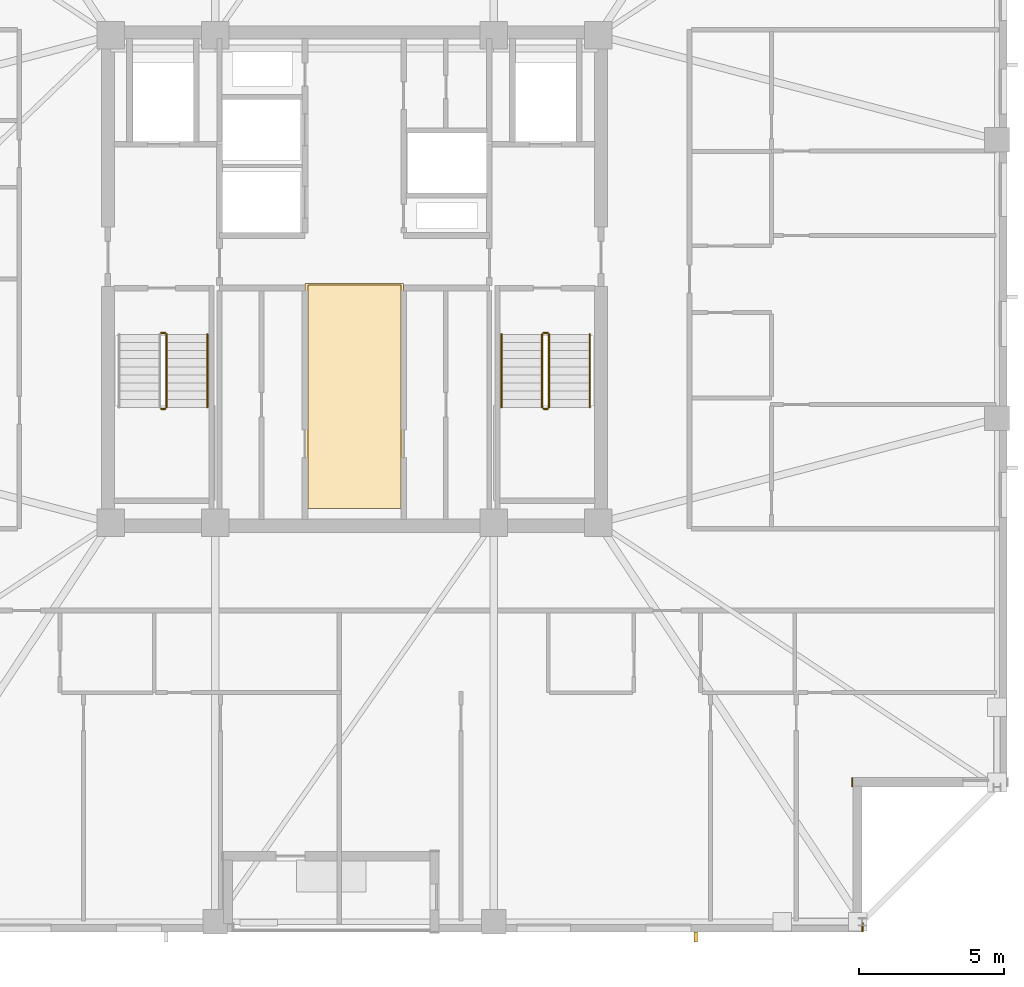
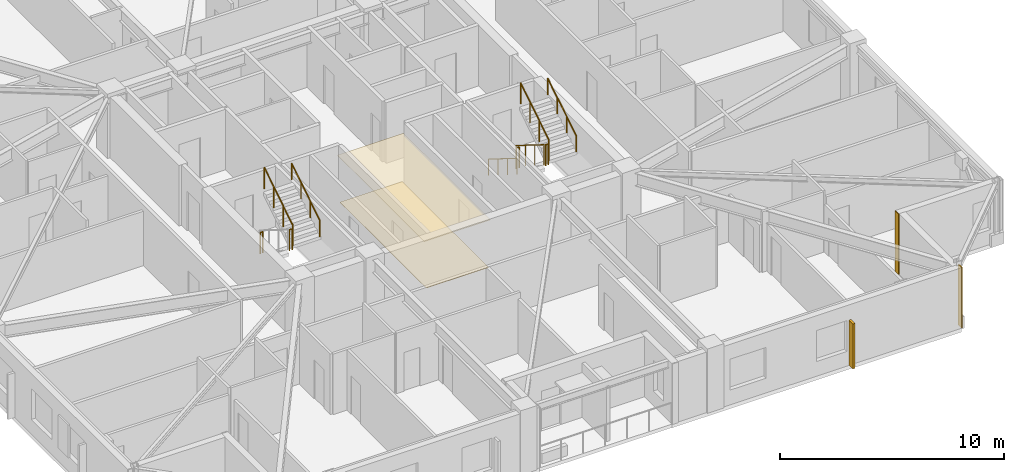
# One storey, part 14 of 17: 10 railings, 4 coverings, 1 shading device.
"""IFC4 building model written with IfcOpenShell, lengths in metres."""

from ifc_helpers import new_model, si_unit, direction, frame, frame_2d, origin, origin_2d, place, context, subcontext, project, spatial, polyline, rectangle, circle, outline, extrude, material, layer, layer_set, type_object, element, save


model = new_model("IFC4")

# Units and contexts
model_context = context("Model", 3, precision=1e-05, world=origin(), true_north=direction((0.0, 1.0)))
body_context = subcontext(model_context, "Body", "Model", "MODEL_VIEW")
ifc_project = project(units=[si_unit("LENGTHUNIT", "METRE"), si_unit("AREAUNIT", "SQUARE_METRE"), si_unit("VOLUMEUNIT", "CUBIC_METRE"), si_unit("PLANEANGLEUNIT", "RADIAN"), si_unit("MASSUNIT", "GRAM", prefix="KILO")], contexts=[model_context])

# Site, building, storey
site_placement = place(None, origin())
site = spatial("IfcSite", under=ifc_project, at=site_placement, CompositionType="ELEMENT")
building_placement = place(site_placement, origin())
building = spatial("IfcBuilding", under=site, at=building_placement, Name="Cairnveth Concourse Tower", CompositionType="ELEMENT")
storey_placement = place(building_placement, frame((0.0, 0.0, 269.0)))
storey = spatial("IfcBuildingStorey", under=building, at=storey_placement, Name="L74", CompositionType="ELEMENT", Elevation=269.0)

# Coverings
ifc_material_1 = material(Name="Acoustic Mineral Fibre Ceiling", Category="gypsum")
ifc_layer_1 = layer(ifc_material_1, 0.02490234375)
ifc_layer_set_1 = layer_set([ifc_layer_1], Name="Acoustic Mineral Fibre Ceiling")
covering_type_1 = type_object("IfcCoveringType", Name="ACOUSTIC MINERAL FIBRE CEILING 25", PredefinedType="CEILING", material=ifc_layer_set_1)
covering_1_placement = place(storey_placement, frame((0.0, 0.0, 2.55810546875)))
element("IfcCovering", 1, at=covering_1_placement, inside=storey, type_object=covering_type_1, Name="Lift Lobby Acoustic Ceiling L74", PredefinedType="CEILING", context=body_context, shape_type="SweptSolid", body=[
    extrude(outline(polyline([(50.300048828125, 31.10009765625), (53.699951171875, 31.10009765625), (53.699951171875, 38.85009765625), (50.300048828125, 38.85009765625), (50.300048828125, 31.10009765625)])), origin(), (0.0, 0.0, 1.0), 0.02490234375),
])
ifc_material_2 = material(Name="Dressed Melbourne Bluestone Cladding", Category="masonry")
ifc_layer_2 = layer(ifc_material_2, 0.050048828125)
ifc_layer_set_2 = layer_set([ifc_layer_2], Name="Dressed Melbourne Bluestone Cladding")
covering_type_2 = type_object("IfcCoveringType", Name="DRESSED BLUESTONE PLINTH CLADDING 50", PredefinedType="CLADDING", material=ifc_layer_set_2)
for number, where, z_axis, x_axis, name in (
    (2, (69.159912109375, 21.820068359375, 0.0), (0.0, 0.0, 1.0), (0.0, -1.0, 0.0), "Melbourne Bluestone Corner Quoin L74-1130"),
    (3, (69.52001953125, 16.820068359375, 0.0), (0.0, 0.0, 1.0), (0.0, -1.0, 0.0), "Melbourne Bluestone Corner Quoin L74-1131"),
):
    element("IfcCovering", number, at=place(storey_placement, frame(where, z_axis=z_axis, x_axis=x_axis)), inside=storey, type_object=covering_type_2, Name=name, PredefinedType="CLADDING", context=body_context, shape_type="SweptSolid", body=[
        extrude(rectangle(XDim=0.320068359375, YDim=0.050048828125, at=frame_2d((0.16015625, 0.0))), origin(), (0.0, 0.0, 1.0), 3.2900390625),
    ])

# Shading device
ifc_material_3 = material(Name="Architectural Bronze Anodised Aluminium 6063-T6", Category="aluminium")
shading_device_type = type_object("IfcShadingDeviceType", Name="GOTHIC BRONZE VERTICAL LANCET FIN", PredefinedType="USERDEFINED", material=ifc_material_3)
shading_device_placement = place(storey_placement, frame((63.759521484375, 16.324951171875, 0.030029296875), z_axis=(0.0, 0.0, 1.0), x_axis=(1.0, 0.0, 0.0)))
element("IfcShadingDevice", 4, at=shading_device_placement, inside=storey, type_object=shading_device_type, Name="Gothic Bronze Vertical Fin L74-12-1", ObjectType="VERTICAL FIN", PredefinedType="USERDEFINED", context=body_context, shape_type="SweptSolid", body=[
    extrude(rectangle(XDim=0.1201171875, YDim=0.360107421875, at=origin_2d()), origin(), (0.0, 0.0, 1.0), 2.43798828125),
])

# Railings
ifc_material_4 = material(Name="Steel Grade 350", Category="steel")
railing_type_1 = type_object("IfcRailingType", Name="STAIR GUARDRAIL 1150", PredefinedType="GUARDRAIL", material=ifc_material_4)
railing_1_placement = place(storey_placement, frame((45.340087890625, 34.530029296875, 1.75)))
element("IfcRailing", 5, at=railing_1_placement, inside=storey, type_object=railing_type_1, Name="L74 ST-1 stair guard 2", PredefinedType="GUARDRAIL", context=body_context, shape_type="SweptSolid", body=[
    extrude(circle(Radius=0.02392578125, at=origin_2d()), frame((0.0, 0.0, 1.1259765625), z_axis=(1.0, 0.0, 0.0), x_axis=(0.0, 1.0, 0.0)), (0.0, 0.0, 1.0), 0.139892578125),
    extrude(circle(Radius=0.02099609375, at=origin_2d()), origin(), (0.0, 0.0, 1.0), 1.101806640625),
    extrude(circle(Radius=0.02099609375, at=origin_2d()), frame((0.139892578125, 0.0, 0.0)), (0.0, 0.0, 1.0), 1.101806640625),
])
railing_2_placement = place(storey_placement, frame((45.530029296875, 34.580078125, 1.925048828125)))
element("IfcRailing", 6, at=railing_2_placement, inside=storey, type_object=railing_type_1, Name="L74 ST-1 stair guard 3", PredefinedType="GUARDRAIL", context=body_context, shape_type="SweptSolid", body=[
    extrude(circle(Radius=0.02392578125, at=origin_2d()), frame((0.0, 0.0, 1.1259765625), z_axis=(0.0, 0.848007534815, 0.529984170421), x_axis=(-1.0, 0.0, 0.0)), (0.0, 0.0, 1.0), 2.9716796875),
    extrude(circle(Radius=0.02099609375, at=origin_2d()), origin(), (0.0, 0.0, 1.0), 1.101806640625),
    extrude(circle(Radius=0.02099609375, at=origin_2d()), frame((0.0, 0.840087890625, 0.52490234375)), (0.0, 0.0, 1.0), 1.101806640625),
    extrude(circle(Radius=0.02099609375, at=origin_2d()), frame((0.0, 1.679931640625, 1.050048828125)), (0.0, 0.0, 1.0), 1.101806640625),
    extrude(circle(Radius=0.02099609375, at=origin_2d()), frame((0.0, 2.52001953125, 1.574951171875)), (0.0, 0.0, 1.0), 1.101806640625),
])
railing_3_placement = place(storey_placement, frame((45.340087890625, 37.14990234375, 0.0)))
element("IfcRailing", 7, at=railing_3_placement, inside=storey, type_object=railing_type_1, Name="L74 ST-1 stair guard 4", PredefinedType="GUARDRAIL", context=body_context, shape_type="SweptSolid", body=[
    extrude(circle(Radius=0.02392578125, at=origin_2d()), frame((0.0, 0.0, 1.1259765625), z_axis=(1.0, 0.0, 0.0), x_axis=(0.0, 1.0, 0.0)), (0.0, 0.0, 1.0), 0.139892578125),
    extrude(circle(Radius=0.02099609375, at=origin_2d()), origin(), (0.0, 0.0, 1.0), 1.101806640625),
    extrude(circle(Radius=0.02099609375, at=origin_2d()), frame((0.139892578125, 0.0, 0.0)), (0.0, 0.0, 1.0), 1.101806640625),
])
railing_4_placement = place(storey_placement, frame((58.469970703125, 37.10009765625, 0.175048828125)))
element("IfcRailing", 8, at=railing_4_placement, inside=storey, type_object=railing_type_1, Name="L74 ST-2 stair guard 1", PredefinedType="GUARDRAIL", context=body_context, shape_type="SweptSolid", body=[
    extrude(circle(Radius=0.02392578125, at=origin_2d()), frame((0.0, 0.0, 1.1259765625), z_axis=(0.0, -0.848007534815, 0.529984170421), x_axis=(1.0, 0.0, 0.0)), (0.0, 0.0, 1.0), 2.9716796875),
    extrude(circle(Radius=0.02099609375, at=origin_2d()), origin(), (0.0, 0.0, 1.0), 1.101806640625),
    extrude(circle(Radius=0.02099609375, at=origin_2d()), frame((0.0, -0.840087890625, 0.52490234375)), (0.0, 0.0, 1.0), 1.101806640625),
    extrude(circle(Radius=0.02099609375, at=origin_2d()), frame((0.0, -1.679931640625, 1.050048828125)), (0.0, 0.0, 1.0), 1.101806640625),
    extrude(circle(Radius=0.02099609375, at=origin_2d()), frame((0.0, -2.52001953125, 1.574951171875)), (0.0, 0.0, 1.0), 1.101806640625),
])
railing_5_placement = place(storey_placement, frame((58.52001953125, 34.530029296875, 1.75)))
element("IfcRailing", 9, at=railing_5_placement, inside=storey, type_object=railing_type_1, Name="L74 ST-2 stair guard 2", PredefinedType="GUARDRAIL", context=body_context, shape_type="SweptSolid", body=[
    extrude(circle(Radius=0.02392578125, at=origin_2d()), frame((0.0, 0.0, 1.1259765625), z_axis=(1.0, 0.0, 0.0), x_axis=(0.0, 1.0, 0.0)), (0.0, 0.0, 1.0), 0.139892578125),
    extrude(circle(Radius=0.02099609375, at=origin_2d()), origin(), (0.0, 0.0, 1.0), 1.101806640625),
    extrude(circle(Radius=0.02099609375, at=origin_2d()), frame((0.139892578125, 0.0, 0.0)), (0.0, 0.0, 1.0), 1.101806640625),
])
railing_6_placement = place(storey_placement, frame((58.7099609375, 34.580078125, 1.925048828125)))
element("IfcRailing", 10, at=railing_6_placement, inside=storey, type_object=railing_type_1, Name="L74 ST-2 stair guard 3", PredefinedType="GUARDRAIL", context=body_context, shape_type="SweptSolid", body=[
    extrude(circle(Radius=0.02392578125, at=origin_2d()), frame((0.0, 0.0, 1.1259765625), z_axis=(0.0, 0.848007534815, 0.529984170421), x_axis=(-1.0, 0.0, 0.0)), (0.0, 0.0, 1.0), 2.9716796875),
    extrude(circle(Radius=0.02099609375, at=origin_2d()), origin(), (0.0, 0.0, 1.0), 1.101806640625),
    extrude(circle(Radius=0.02099609375, at=origin_2d()), frame((0.0, 0.840087890625, 0.52490234375)), (0.0, 0.0, 1.0), 1.101806640625),
    extrude(circle(Radius=0.02099609375, at=origin_2d()), frame((0.0, 1.679931640625, 1.050048828125)), (0.0, 0.0, 1.0), 1.101806640625),
    extrude(circle(Radius=0.02099609375, at=origin_2d()), frame((0.0, 2.52001953125, 1.574951171875)), (0.0, 0.0, 1.0), 1.101806640625),
])
railing_7_placement = place(storey_placement, frame((58.52001953125, 37.14990234375, 0.0)))
element("IfcRailing", 11, at=railing_7_placement, inside=storey, type_object=railing_type_1, Name="L74 ST-2 stair guard 4", PredefinedType="GUARDRAIL", context=body_context, shape_type="SweptSolid", body=[
    extrude(circle(Radius=0.02392578125, at=origin_2d()), frame((0.0, 0.0, 1.1259765625), z_axis=(1.0, 0.0, 0.0), x_axis=(0.0, 1.0, 0.0)), (0.0, 0.0, 1.0), 0.139892578125),
    extrude(circle(Radius=0.02099609375, at=origin_2d()), origin(), (0.0, 0.0, 1.0), 1.101806640625),
    extrude(circle(Radius=0.02099609375, at=origin_2d()), frame((0.139892578125, 0.0, 0.0)), (0.0, 0.0, 1.0), 1.101806640625),
])
railing_type_2 = type_object("IfcRailingType", Name="STAIR WALL HANDRAIL 900", PredefinedType="HANDRAIL", material=ifc_material_4)
railing_8_placement = place(storey_placement, frame((46.929931640625, 34.580078125, 1.925048828125)))
element("IfcRailing", 12, at=railing_8_placement, inside=storey, type_object=railing_type_2, Name="L74 ST-1 stair handrail 2", PredefinedType="HANDRAIL", context=body_context, shape_type="SweptSolid", body=[
    extrude(circle(Radius=0.02392578125, at=origin_2d()), frame((0.0, 0.0, 0.8759765625), z_axis=(0.0, 0.848007534815, 0.529984170421), x_axis=(-1.0, 0.0, 0.0)), (0.0, 0.0, 1.0), 2.9716796875),
    extrude(circle(Radius=0.02099609375, at=origin_2d()), origin(), (0.0, 0.0, 1.0), 0.851806640625),
    extrude(circle(Radius=0.02099609375, at=origin_2d()), frame((0.0, 0.840087890625, 0.52490234375)), (0.0, 0.0, 1.0), 0.851806640625),
    extrude(circle(Radius=0.02099609375, at=origin_2d()), frame((0.0, 1.679931640625, 1.050048828125)), (0.0, 0.0, 1.0), 0.851806640625),
    extrude(circle(Radius=0.02099609375, at=origin_2d()), frame((0.0, 2.52001953125, 1.574951171875)), (0.0, 0.0, 1.0), 0.851806640625),
])
railing_9_placement = place(storey_placement, frame((57.070068359375, 37.10009765625, 0.175048828125)))
element("IfcRailing", 13, at=railing_9_placement, inside=storey, type_object=railing_type_2, Name="L74 ST-2 stair handrail 1", PredefinedType="HANDRAIL", context=body_context, shape_type="SweptSolid", body=[
    extrude(circle(Radius=0.02392578125, at=origin_2d()), frame((0.0, 0.0, 0.8759765625), z_axis=(0.0, -0.848007534815, 0.529984170421), x_axis=(1.0, 0.0, 0.0)), (0.0, 0.0, 1.0), 2.9716796875),
    extrude(circle(Radius=0.02099609375, at=origin_2d()), origin(), (0.0, 0.0, 1.0), 0.851806640625),
    extrude(circle(Radius=0.02099609375, at=origin_2d()), frame((0.0, -0.840087890625, 0.52490234375)), (0.0, 0.0, 1.0), 0.851806640625),
    extrude(circle(Radius=0.02099609375, at=origin_2d()), frame((0.0, -1.679931640625, 1.050048828125)), (0.0, 0.0, 1.0), 0.851806640625),
    extrude(circle(Radius=0.02099609375, at=origin_2d()), frame((0.0, -2.52001953125, 1.574951171875)), (0.0, 0.0, 1.0), 0.851806640625),
])
railing_10_placement = place(storey_placement, frame((60.110107421875, 34.580078125, 1.925048828125)))
element("IfcRailing", 14, at=railing_10_placement, inside=storey, type_object=railing_type_2, Name="L74 ST-2 stair handrail 2", PredefinedType="HANDRAIL", context=body_context, shape_type="SweptSolid", body=[
    extrude(circle(Radius=0.02392578125, at=origin_2d()), frame((0.0, 0.0, 0.8759765625), z_axis=(0.0, 0.848007534815, 0.529984170421), x_axis=(-1.0, 0.0, 0.0)), (0.0, 0.0, 1.0), 2.9716796875),
    extrude(circle(Radius=0.02099609375, at=origin_2d()), origin(), (0.0, 0.0, 1.0), 0.851806640625),
    extrude(circle(Radius=0.02099609375, at=origin_2d()), frame((0.0, 0.840087890625, 0.52490234375)), (0.0, 0.0, 1.0), 0.851806640625),
    extrude(circle(Radius=0.02099609375, at=origin_2d()), frame((0.0, 1.679931640625, 1.050048828125)), (0.0, 0.0, 1.0), 0.851806640625),
    extrude(circle(Radius=0.02099609375, at=origin_2d()), frame((0.0, 2.52001953125, 1.574951171875)), (0.0, 0.0, 1.0), 0.851806640625),
])

# Covering
ifc_material_5 = material(Name="Vitrified Stoneware Tile Flooring", Category="masonry")
ifc_layer_3 = layer(ifc_material_5, 0.02001953125)
ifc_layer_set_3 = layer_set([ifc_layer_3], Name="Vitrified Stoneware Tile Flooring")
covering_type_3 = type_object("IfcCoveringType", Name="VITRIFIED STONEWARE LOBBY FLOORING 20", PredefinedType="FLOORING", material=ifc_layer_set_3)
covering_2_placement = place(storey_placement, origin())
element("IfcCovering", 15, at=covering_2_placement, inside=storey, type_object=covering_type_3, Name="Lift Lobby Stoneware Flooring L74", PredefinedType="FLOORING", context=body_context, shape_type="SweptSolid", body=[
    extrude(outline(polyline([(50.39990234375, 31.10009765625), (53.60009765625, 31.10009765625), (53.60009765625, 38.800048828125), (50.39990234375, 38.800048828125), (50.39990234375, 31.10009765625)])), origin(), (0.0, 0.0, 1.0), 0.02001953125),
])

save(model, "model.ifc")
